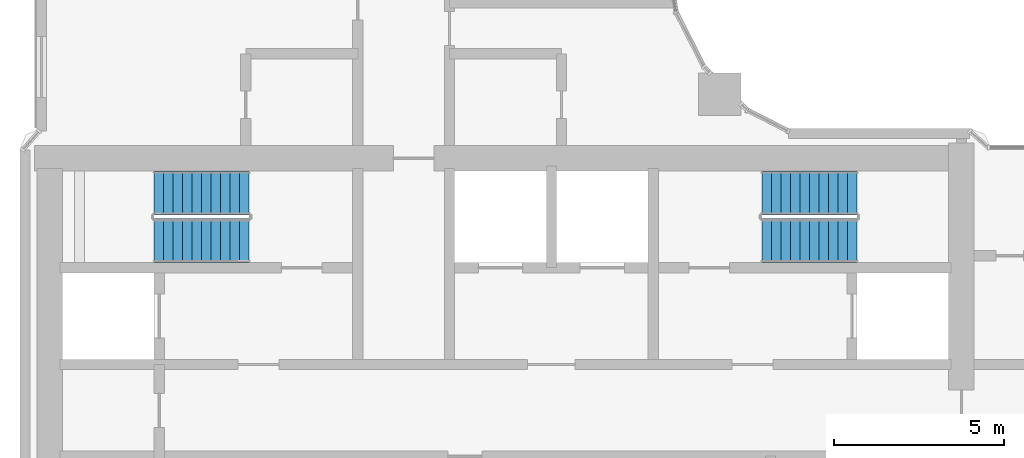
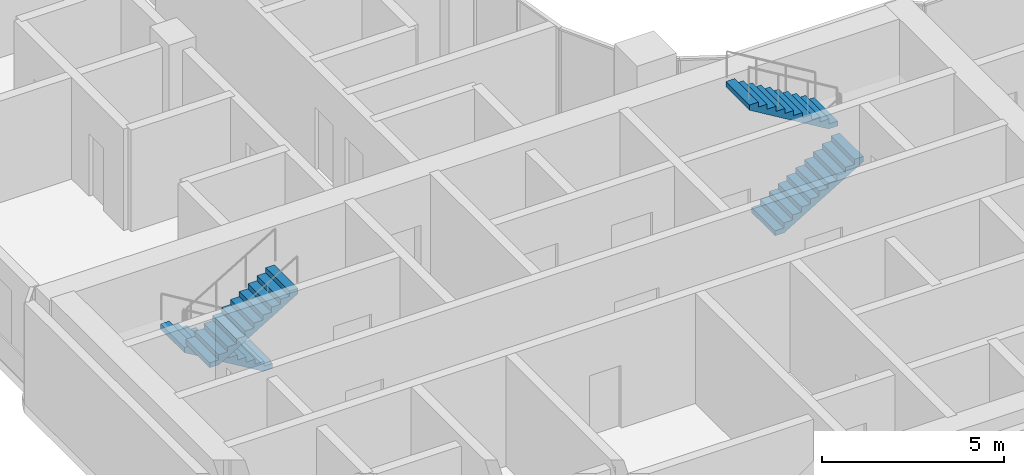
# One storey, part 25 of 33: 4 stair flights, 2 elements without a shape of their own.
"""IFC4 building model written with IfcOpenShell, lengths in metres."""

from ifc_helpers import new_model, si_unit, direction, frame, origin, place, context, subcontext, project, spatial, triangles, source, transform, mapped, material, type_object, element, aggregate, save


model = new_model("IFC4")

# Units and contexts
model_context = context("Model", 3, precision=1e-05, world=origin(), true_north=direction((0.0, 1.0)))
body_context = subcontext(model_context, "Body", "Model", "MODEL_VIEW")
ifc_project = project(units=[si_unit("LENGTHUNIT", "METRE"), si_unit("AREAUNIT", "SQUARE_METRE"), si_unit("VOLUMEUNIT", "CUBIC_METRE"), si_unit("PLANEANGLEUNIT", "RADIAN"), si_unit("MASSUNIT", "GRAM", prefix="KILO")], contexts=[model_context])

# Site, building, storey
site_placement = place(None, origin())
site = spatial("IfcSite", under=ifc_project, at=site_placement, CompositionType="ELEMENT")
building_placement = place(site_placement, origin())
building = spatial("IfcBuilding", under=site, at=building_placement, Name="Ogive Portal Towers", CompositionType="ELEMENT")
storey_placement = place(building_placement, frame((0.0, 0.0, 101.89990234375)))
storey = spatial("IfcBuildingStorey", under=building, at=storey_placement, Name="L24", CompositionType="ELEMENT", Elevation=101.89990234375)

# Stair, stair flights
ifc_material = material(Name="Concrete C40/50", Category="concrete")
stair_type = type_object("IfcStairType", Name="INT-STAIR", PredefinedType="HALF_TURN_STAIR", material=ifc_material)
stair_1_placement = place(storey_placement, origin())
stair_1 = element("IfcStair", 1, at=stair_1_placement, inside=storey, type_object=stair_type, Name="L24 Exit Stair ST-A1", PredefinedType="HALF_TURN_STAIR")
stair_flight_type = type_object("IfcStairFlightType", Name="INT-FLIGHT", PredefinedType="STRAIGHT", material=ifc_material)
shared_shape = source(origin(), body_context, "Body", "Tessellation", [
    triangles([(0.0, -0.650146484375, 0.0), (0.0, -0.376220703125, 0.0), (0.0, -0.192626953125, 0.0), (0.0, -0.081298828125, 0.0), (0.0, -0.024169921875, 0.0), (0.0, -0.003173828125, 0.0), (0.0, 0.0, 0.0), (0.0, 0.0029296875, 0.0), (0.0, 0.02392578125, 0.0), (0.0, 0.0810546875, 0.0), (0.0, 0.1923828125, 0.0), (0.0, 0.3759765625, 0.0), (0.0, 0.64990234375, 0.0), (0.0, -0.650146484375, 0.168212890625), (0.0, -0.376220703125, 0.168212890625), (0.0, -0.192626953125, 0.168212890625), (0.0, -0.081298828125, 0.168212890625), (0.0, -0.024169921875, 0.168212890625), (0.0, -0.003173828125, 0.168212890625), (0.0, 0.0, 0.168212890625), (0.0, 0.0029296875, 0.168212890625), (0.0, 0.02392578125, 0.168212890625), (0.0, 0.0810546875, 0.168212890625), (0.0, 0.1923828125, 0.168212890625), (0.0, 0.3759765625, 0.168212890625), (0.0, 0.64990234375, 0.168212890625), (0.280029296875, -0.650146484375, 0.168212890625), (0.280029296875, -0.376220703125, 0.168212890625), (0.280029296875, -0.192626953125, 0.168212890625), (0.280029296875, -0.081298828125, 0.168212890625), (0.280029296875, -0.024169921875, 0.168212890625), (0.280029296875, -0.003173828125, 0.168212890625), (0.280029296875, 0.0, 0.168212890625), (0.280029296875, 0.0029296875, 0.168212890625), (0.280029296875, 0.02392578125, 0.168212890625), (0.280029296875, 0.0810546875, 0.168212890625), (0.280029296875, 0.1923828125, 0.168212890625), (0.280029296875, 0.3759765625, 0.168212890625), (0.280029296875, 0.64990234375, 0.168212890625), (0.280029296875, -0.650146484375, 0.33642578125), (0.280029296875, -0.376220703125, 0.33642578125), (0.280029296875, -0.192626953125, 0.33642578125), (0.280029296875, -0.081298828125, 0.33642578125), (0.280029296875, -0.024169921875, 0.33642578125), (0.280029296875, -0.003173828125, 0.33642578125), (0.280029296875, 0.0, 0.33642578125), (0.280029296875, 0.0029296875, 0.33642578125), (0.280029296875, 0.02392578125, 0.33642578125), (0.280029296875, 0.0810546875, 0.33642578125), (0.280029296875, 0.1923828125, 0.33642578125), (0.280029296875, 0.3759765625, 0.33642578125), (0.280029296875, 0.64990234375, 0.33642578125), (0.56005859375, -0.650146484375, 0.33642578125), (0.56005859375, -0.376220703125, 0.33642578125), (0.56005859375, -0.192626953125, 0.33642578125), (0.56005859375, -0.081298828125, 0.33642578125), (0.56005859375, -0.024169921875, 0.33642578125), (0.56005859375, -0.003173828125, 0.33642578125), (0.56005859375, 0.0, 0.33642578125), (0.56005859375, 0.0029296875, 0.33642578125), (0.56005859375, 0.02392578125, 0.33642578125), (0.56005859375, 0.0810546875, 0.33642578125), (0.56005859375, 0.1923828125, 0.33642578125), (0.56005859375, 0.3759765625, 0.33642578125), (0.56005859375, 0.64990234375, 0.33642578125), (0.56005859375, -0.650146484375, 0.504638671875), (0.56005859375, -0.376220703125, 0.504638671875), (0.56005859375, -0.192626953125, 0.504638671875), (0.56005859375, -0.081298828125, 0.504638671875), (0.56005859375, -0.024169921875, 0.504638671875), (0.56005859375, -0.003173828125, 0.504638671875), (0.56005859375, 0.0, 0.504638671875), (0.56005859375, 0.0029296875, 0.504638671875), (0.56005859375, 0.02392578125, 0.504638671875), (0.56005859375, 0.0810546875, 0.504638671875), (0.56005859375, 0.1923828125, 0.504638671875), (0.56005859375, 0.3759765625, 0.504638671875), (0.56005859375, 0.64990234375, 0.504638671875), (0.840087890625, -0.650146484375, 0.504638671875), (0.840087890625, -0.376220703125, 0.504638671875), (0.840087890625, -0.192626953125, 0.504638671875), (0.840087890625, -0.081298828125, 0.504638671875), (0.840087890625, -0.024169921875, 0.504638671875), (0.840087890625, -0.003173828125, 0.504638671875), (0.840087890625, 0.0, 0.504638671875), (0.840087890625, 0.0029296875, 0.504638671875), (0.840087890625, 0.02392578125, 0.504638671875), (0.840087890625, 0.0810546875, 0.504638671875), (0.840087890625, 0.1923828125, 0.504638671875), (0.840087890625, 0.3759765625, 0.504638671875), (0.840087890625, 0.64990234375, 0.504638671875), (0.840087890625, -0.650146484375, 0.672607421875), (0.840087890625, -0.376220703125, 0.672607421875), (0.840087890625, -0.192626953125, 0.672607421875), (0.840087890625, -0.081298828125, 0.672607421875), (0.840087890625, -0.024169921875, 0.672607421875), (0.840087890625, -0.003173828125, 0.672607421875), (0.840087890625, 0.0, 0.672607421875), (0.840087890625, 0.0029296875, 0.672607421875), (0.840087890625, 0.02392578125, 0.672607421875), (0.840087890625, 0.0810546875, 0.672607421875), (0.840087890625, 0.1923828125, 0.672607421875), (0.840087890625, 0.3759765625, 0.672607421875), (0.840087890625, 0.64990234375, 0.672607421875), (1.1201171875, -0.650146484375, 0.672607421875), (1.1201171875, -0.376220703125, 0.672607421875), (1.1201171875, -0.192626953125, 0.672607421875), (1.1201171875, -0.081298828125, 0.672607421875), (1.1201171875, -0.024169921875, 0.672607421875), (1.1201171875, -0.003173828125, 0.672607421875), (1.1201171875, 0.0, 0.672607421875), (1.1201171875, 0.0029296875, 0.672607421875), (1.1201171875, 0.02392578125, 0.672607421875), (1.1201171875, 0.0810546875, 0.672607421875), (1.1201171875, 0.1923828125, 0.672607421875), (1.1201171875, 0.3759765625, 0.672607421875), (1.1201171875, 0.64990234375, 0.672607421875), (1.1201171875, -0.650146484375, 0.8408203125), (1.1201171875, -0.376220703125, 0.8408203125), (1.1201171875, -0.192626953125, 0.8408203125), (1.1201171875, -0.081298828125, 0.8408203125), (1.1201171875, -0.024169921875, 0.8408203125), (1.1201171875, -0.003173828125, 0.8408203125), (1.1201171875, 0.0, 0.8408203125), (1.1201171875, 0.0029296875, 0.8408203125), (1.1201171875, 0.02392578125, 0.8408203125), (1.1201171875, 0.0810546875, 0.8408203125), (1.1201171875, 0.1923828125, 0.8408203125), (1.1201171875, 0.3759765625, 0.8408203125), (1.1201171875, 0.64990234375, 0.8408203125), (1.39990234375, -0.650146484375, 0.8408203125), (1.39990234375, -0.376220703125, 0.8408203125), (1.39990234375, -0.192626953125, 0.8408203125), (1.39990234375, -0.081298828125, 0.8408203125), (1.39990234375, -0.024169921875, 0.8408203125), (1.39990234375, -0.003173828125, 0.8408203125), (1.39990234375, 0.0, 0.8408203125), (1.39990234375, 0.0029296875, 0.8408203125), (1.39990234375, 0.02392578125, 0.8408203125), (1.39990234375, 0.0810546875, 0.8408203125), (1.39990234375, 0.1923828125, 0.8408203125), (1.39990234375, 0.3759765625, 0.8408203125), (1.39990234375, 0.64990234375, 0.8408203125), (1.39990234375, -0.650146484375, 1.009033203125), (1.39990234375, -0.376220703125, 1.009033203125), (1.39990234375, -0.192626953125, 1.009033203125), (1.39990234375, -0.081298828125, 1.009033203125), (1.39990234375, -0.024169921875, 1.009033203125), (1.39990234375, -0.003173828125, 1.009033203125), (1.39990234375, 0.0, 1.009033203125), (1.39990234375, 0.0029296875, 1.009033203125), (1.39990234375, 0.02392578125, 1.009033203125), (1.39990234375, 0.0810546875, 1.009033203125), (1.39990234375, 0.1923828125, 1.009033203125), (1.39990234375, 0.3759765625, 1.009033203125), (1.39990234375, 0.64990234375, 1.009033203125), (1.679931640625, -0.650146484375, 1.009033203125), (1.679931640625, -0.376220703125, 1.009033203125), (1.679931640625, -0.192626953125, 1.009033203125), (1.679931640625, -0.081298828125, 1.009033203125), (1.679931640625, -0.024169921875, 1.009033203125), (1.679931640625, -0.003173828125, 1.009033203125), (1.679931640625, 0.0, 1.009033203125), (1.679931640625, 0.0029296875, 1.009033203125), (1.679931640625, 0.02392578125, 1.009033203125), (1.679931640625, 0.0810546875, 1.009033203125), (1.679931640625, 0.1923828125, 1.009033203125), (1.679931640625, 0.3759765625, 1.009033203125), (1.679931640625, 0.64990234375, 1.009033203125), (1.679931640625, -0.650146484375, 1.17724609375), (1.679931640625, -0.376220703125, 1.17724609375), (1.679931640625, -0.192626953125, 1.17724609375), (1.679931640625, -0.081298828125, 1.17724609375), (1.679931640625, -0.024169921875, 1.17724609375), (1.679931640625, -0.003173828125, 1.17724609375), (1.679931640625, 0.0, 1.17724609375), (1.679931640625, 0.0029296875, 1.17724609375), (1.679931640625, 0.02392578125, 1.17724609375), (1.679931640625, 0.0810546875, 1.17724609375), (1.679931640625, 0.1923828125, 1.17724609375), (1.679931640625, 0.3759765625, 1.17724609375), (1.679931640625, 0.64990234375, 1.17724609375), (1.9599609375, -0.650146484375, 1.17724609375), (1.9599609375, -0.376220703125, 1.17724609375), (1.9599609375, -0.192626953125, 1.17724609375), (1.9599609375, -0.081298828125, 1.17724609375), (1.9599609375, -0.024169921875, 1.17724609375), (1.9599609375, -0.003173828125, 1.17724609375), (1.9599609375, 0.0, 1.17724609375), (1.9599609375, 0.0029296875, 1.17724609375), (1.9599609375, 0.02392578125, 1.17724609375), (1.9599609375, 0.0810546875, 1.17724609375), (1.9599609375, 0.1923828125, 1.17724609375), (1.9599609375, 0.3759765625, 1.17724609375), (1.9599609375, 0.64990234375, 1.17724609375), (1.9599609375, -0.650146484375, 1.345458984375), (1.9599609375, -0.376220703125, 1.345458984375), (1.9599609375, -0.192626953125, 1.345458984375), (1.9599609375, -0.081298828125, 1.345458984375), (1.9599609375, -0.024169921875, 1.345458984375), (1.9599609375, -0.003173828125, 1.345458984375), (1.9599609375, 0.0, 1.345458984375), (1.9599609375, 0.0029296875, 1.345458984375), (1.9599609375, 0.02392578125, 1.345458984375), (1.9599609375, 0.0810546875, 1.345458984375), (1.9599609375, 0.1923828125, 1.345458984375), (1.9599609375, 0.3759765625, 1.345458984375), (1.9599609375, 0.64990234375, 1.345458984375), (2.239990234375, -0.650146484375, 1.345458984375), (2.239990234375, -0.376220703125, 1.345458984375), (2.239990234375, -0.192626953125, 1.345458984375), (2.239990234375, -0.081298828125, 1.345458984375), (2.239990234375, -0.024169921875, 1.345458984375), (2.239990234375, -0.003173828125, 1.345458984375), (2.239990234375, 0.0, 1.345458984375), (2.239990234375, 0.0029296875, 1.345458984375), (2.239990234375, 0.02392578125, 1.345458984375), (2.239990234375, 0.0810546875, 1.345458984375), (2.239990234375, 0.1923828125, 1.345458984375), (2.239990234375, 0.3759765625, 1.345458984375), (2.239990234375, 0.64990234375, 1.345458984375), (2.239990234375, -0.650146484375, 1.513671875), (2.239990234375, -0.376220703125, 1.513671875), (2.239990234375, -0.192626953125, 1.513671875), (2.239990234375, -0.081298828125, 1.513671875), (2.239990234375, -0.024169921875, 1.513671875), (2.239990234375, -0.003173828125, 1.513671875), (2.239990234375, 0.0, 1.513671875), (2.239990234375, 0.0029296875, 1.513671875), (2.239990234375, 0.02392578125, 1.513671875), (2.239990234375, 0.0810546875, 1.513671875), (2.239990234375, 0.1923828125, 1.513671875), (2.239990234375, 0.3759765625, 1.513671875), (2.239990234375, 0.64990234375, 1.513671875), (2.52001953125, -0.650146484375, 1.513671875), (2.52001953125, -0.376220703125, 1.513671875), (2.52001953125, -0.192626953125, 1.513671875), (2.52001953125, -0.081298828125, 1.513671875), (2.52001953125, -0.024169921875, 1.513671875), (2.52001953125, -0.003173828125, 1.513671875), (2.52001953125, 0.0, 1.513671875), (2.52001953125, 0.0029296875, 1.513671875), (2.52001953125, 0.02392578125, 1.513671875), (2.52001953125, 0.0810546875, 1.513671875), (2.52001953125, 0.1923828125, 1.513671875), (2.52001953125, 0.3759765625, 1.513671875), (2.52001953125, 0.64990234375, 1.513671875), (2.52001953125, -0.650146484375, 1.681884765625), (2.52001953125, -0.376220703125, 1.681884765625), (2.52001953125, -0.192626953125, 1.681884765625), (2.52001953125, -0.081298828125, 1.681884765625), (2.52001953125, -0.024169921875, 1.681884765625), (2.52001953125, -0.003173828125, 1.681884765625), (2.52001953125, 0.0, 1.681884765625), (2.52001953125, 0.0029296875, 1.681884765625), (2.52001953125, 0.02392578125, 1.681884765625), (2.52001953125, 0.0810546875, 1.681884765625), (2.52001953125, 0.1923828125, 1.681884765625), (2.52001953125, 0.3759765625, 1.681884765625), (2.52001953125, 0.64990234375, 1.681884765625), (2.800048828125, -0.650146484375, 1.681884765625), (2.800048828125, -0.376220703125, 1.681884765625), (2.800048828125, -0.192626953125, 1.681884765625), (2.800048828125, -0.081298828125, 1.681884765625), (2.800048828125, -0.024169921875, 1.681884765625), (2.800048828125, -0.003173828125, 1.681884765625), (2.800048828125, 0.0, 1.681884765625), (2.800048828125, 0.0029296875, 1.681884765625), (2.800048828125, 0.02392578125, 1.681884765625), (2.800048828125, 0.0810546875, 1.681884765625), (2.800048828125, 0.1923828125, 1.681884765625), (2.800048828125, 0.3759765625, 1.681884765625), (2.800048828125, 0.64990234375, 1.681884765625), (2.800048828125, -0.650146484375, 1.5068359375), (2.800048828125, -0.376220703125, 1.5068359375), (2.800048828125, -0.192626953125, 1.5068359375), (2.800048828125, -0.081298828125, 1.5068359375), (2.800048828125, -0.024169921875, 1.5068359375), (2.800048828125, -0.003173828125, 1.5068359375), (2.800048828125, 0.0, 1.5068359375), (2.800048828125, 0.0029296875, 1.5068359375), (2.800048828125, 0.02392578125, 1.5068359375), (2.800048828125, 0.0810546875, 1.5068359375), (2.800048828125, 0.1923828125, 1.5068359375), (2.800048828125, 0.3759765625, 1.5068359375), (2.800048828125, 0.64990234375, 1.5068359375), (0.291015625, -0.650146484375, 0.0), (0.291015625, -0.376220703125, 0.0), (0.291015625, -0.192626953125, 0.0), (0.291015625, -0.081298828125, 0.0), (0.291015625, -0.024169921875, 0.0), (0.291015625, -0.003173828125, 0.0), (0.291015625, 0.0, 0.0), (0.291015625, 0.0029296875, 0.0), (0.291015625, 0.02392578125, 0.0), (0.291015625, 0.0810546875, 0.0), (0.291015625, 0.1923828125, 0.0), (0.291015625, 0.3759765625, 0.0), (0.291015625, 0.64990234375, 0.0)], [[1, 14, 15], [1, 15, 2], [2, 15, 16], [2, 16, 3], [3, 16, 17], [3, 17, 4], [4, 17, 18], [4, 18, 5], [5, 18, 19], [5, 19, 6], [6, 19, 20], [6, 20, 7], [7, 20, 21], [7, 21, 8], [8, 21, 22], [8, 22, 9], [9, 22, 23], [9, 23, 10], [10, 23, 24], [10, 24, 11], [11, 24, 25], [11, 25, 12], [12, 25, 26], [12, 26, 13], [14, 27, 28], [14, 28, 15], [15, 28, 29], [15, 29, 16], [16, 29, 30], [16, 30, 17], [17, 30, 31], [17, 31, 18], [18, 31, 32], [18, 32, 19], [19, 32, 33], [19, 33, 20], [20, 33, 34], [20, 34, 21], [21, 34, 35], [21, 35, 22], [22, 35, 36], [22, 36, 23], [23, 36, 37], [23, 37, 24], [24, 37, 38], [24, 38, 25], [25, 38, 39], [25, 39, 26], [27, 40, 41], [27, 41, 28], [28, 41, 42], [28, 42, 29], [29, 42, 43], [29, 43, 30], [30, 43, 44], [30, 44, 31], [31, 44, 45], [31, 45, 32], [32, 45, 46], [32, 46, 33], [33, 46, 47], [33, 47, 34], [34, 47, 48], [34, 48, 35], [35, 48, 49], [35, 49, 36], [36, 49, 50], [36, 50, 37], [37, 50, 51], [37, 51, 38], [38, 51, 52], [38, 52, 39], [40, 53, 54], [40, 54, 41], [41, 54, 55], [41, 55, 42], [42, 55, 56], [42, 56, 43], [43, 56, 57], [43, 57, 44], [44, 57, 58], [44, 58, 45], [45, 58, 59], [45, 59, 46], [46, 59, 60], [46, 60, 47], [47, 60, 61], [47, 61, 48], [48, 61, 62], [48, 62, 49], [49, 62, 63], [49, 63, 50], [50, 63, 64], [50, 64, 51], [51, 64, 65], [51, 65, 52], [53, 66, 67], [53, 67, 54], [54, 67, 68], [54, 68, 55], [55, 68, 69], [55, 69, 56], [56, 69, 70], [56, 70, 57], [57, 70, 71], [57, 71, 58], [58, 71, 72], [58, 72, 59], [59, 72, 73], [59, 73, 60], [60, 73, 74], [60, 74, 61], [61, 74, 75], [61, 75, 62], [62, 75, 76], [62, 76, 63], [63, 76, 77], [63, 77, 64], [64, 77, 78], [64, 78, 65], [66, 79, 80], [66, 80, 67], [67, 80, 81], [67, 81, 68], [68, 81, 82], [68, 82, 69], [69, 82, 83], [69, 83, 70], [70, 83, 84], [70, 84, 71], [71, 84, 85], [71, 85, 72], [72, 85, 86], [72, 86, 73], [73, 86, 87], [73, 87, 74], [74, 87, 88], [74, 88, 75], [75, 88, 89], [75, 89, 76], [76, 89, 90], [76, 90, 77], [77, 90, 91], [77, 91, 78], [79, 92, 93], [79, 93, 80], [80, 93, 94], [80, 94, 81], [81, 94, 95], [81, 95, 82], [82, 95, 96], [82, 96, 83], [83, 96, 97], [83, 97, 84], [84, 97, 98], [84, 98, 85], [85, 98, 99], [85, 99, 86], [86, 99, 100], [86, 100, 87], [87, 100, 101], [87, 101, 88], [88, 101, 102], [88, 102, 89], [89, 102, 103], [89, 103, 90], [90, 103, 104], [90, 104, 91], [92, 105, 106], [92, 106, 93], [93, 106, 107], [93, 107, 94], [94, 107, 108], [94, 108, 95], [95, 108, 109], [95, 109, 96], [96, 109, 110], [96, 110, 97], [97, 110, 111], [97, 111, 98], [98, 111, 112], [98, 112, 99], [99, 112, 113], [99, 113, 100], [100, 113, 114], [100, 114, 101], [101, 114, 115], [101, 115, 102], [102, 115, 116], [102, 116, 103], [103, 116, 117], [103, 117, 104], [105, 118, 119], [105, 119, 106], [106, 119, 120], [106, 120, 107], [107, 120, 121], [107, 121, 108], [108, 121, 122], [108, 122, 109], [109, 122, 123], [109, 123, 110], [110, 123, 124], [110, 124, 111], [111, 124, 125], [111, 125, 112], [112, 125, 126], [112, 126, 113], [113, 126, 127], [113, 127, 114], [114, 127, 128], [114, 128, 115], [115, 128, 129], [115, 129, 116], [116, 129, 130], [116, 130, 117], [118, 131, 132], [118, 132, 119], [119, 132, 133], [119, 133, 120], [120, 133, 134], [120, 134, 121], [121, 134, 135], [121, 135, 122], [122, 135, 136], [122, 136, 123], [123, 136, 137], [123, 137, 124], [124, 137, 138], [124, 138, 125], [125, 138, 139], [125, 139, 126], [126, 139, 140], [126, 140, 127], [127, 140, 141], [127, 141, 128], [128, 141, 142], [128, 142, 129], [129, 142, 143], [129, 143, 130], [131, 144, 145], [131, 145, 132], [132, 145, 146], [132, 146, 133], [133, 146, 147], [133, 147, 134], [134, 147, 148], [134, 148, 135], [135, 148, 149], [135, 149, 136], [136, 149, 150], [136, 150, 137], [137, 150, 151], [137, 151, 138], [138, 151, 152], [138, 152, 139], [139, 152, 153], [139, 153, 140], [140, 153, 154], [140, 154, 141], [141, 154, 155], [141, 155, 142], [142, 155, 156], [142, 156, 143], [144, 157, 158], [144, 158, 145], [145, 158, 159], [145, 159, 146], [146, 159, 160], [146, 160, 147], [147, 160, 161], [147, 161, 148], [148, 161, 162], [148, 162, 149], [149, 162, 163], [149, 163, 150], [150, 163, 164], [150, 164, 151], [151, 164, 165], [151, 165, 152], [152, 165, 166], [152, 166, 153], [153, 166, 167], [153, 167, 154], [154, 167, 168], [154, 168, 155], [155, 168, 169], [155, 169, 156], [157, 170, 171], [157, 171, 158], [158, 171, 172], [158, 172, 159], [159, 172, 173], [159, 173, 160], [160, 173, 174], [160, 174, 161], [161, 174, 175], [161, 175, 162], [162, 175, 176], [162, 176, 163], [163, 176, 177], [163, 177, 164], [164, 177, 178], [164, 178, 165], [165, 178, 179], [165, 179, 166], [166, 179, 180], [166, 180, 167], [167, 180, 181], [167, 181, 168], [168, 181, 182], [168, 182, 169], [170, 183, 184], [170, 184, 171], [171, 184, 185], [171, 185, 172], [172, 185, 186], [172, 186, 173], [173, 186, 187], [173, 187, 174], [174, 187, 188], [174, 188, 175], [175, 188, 189], [175, 189, 176], [176, 189, 190], [176, 190, 177], [177, 190, 191], [177, 191, 178], [178, 191, 192], [178, 192, 179], [179, 192, 193], [179, 193, 180], [180, 193, 194], [180, 194, 181], [181, 194, 195], [181, 195, 182], [183, 196, 197], [183, 197, 184], [184, 197, 198], [184, 198, 185], [185, 198, 199], [185, 199, 186], [186, 199, 200], [186, 200, 187], [187, 200, 201], [187, 201, 188], [188, 201, 202], [188, 202, 189], [189, 202, 203], [189, 203, 190], [190, 203, 204], [190, 204, 191], [191, 204, 205], [191, 205, 192], [192, 205, 206], [192, 206, 193], [193, 206, 207], [193, 207, 194], [194, 207, 208], [194, 208, 195], [196, 209, 210], [196, 210, 197], [197, 210, 211], [197, 211, 198], [198, 211, 212], [198, 212, 199], [199, 212, 213], [199, 213, 200], [200, 213, 214], [200, 214, 201], [201, 214, 215], [201, 215, 202], [202, 215, 216], [202, 216, 203], [203, 216, 217], [203, 217, 204], [204, 217, 218], [204, 218, 205], [205, 218, 219], [205, 219, 206], [206, 219, 220], [206, 220, 207], [207, 220, 221], [207, 221, 208], [209, 222, 223], [209, 223, 210], [210, 223, 224], [210, 224, 211], [211, 224, 225], [211, 225, 212], [212, 225, 226], [212, 226, 213], [213, 226, 227], [213, 227, 214], [214, 227, 228], [214, 228, 215], [215, 228, 229], [215, 229, 216], [216, 229, 230], [216, 230, 217], [217, 230, 231], [217, 231, 218], [218, 231, 232], [218, 232, 219], [219, 232, 233], [219, 233, 220], [220, 233, 234], [220, 234, 221], [222, 235, 236], [222, 236, 223], [223, 236, 237], [223, 237, 224], [224, 237, 238], [224, 238, 225], [225, 238, 239], [225, 239, 226], [226, 239, 240], [226, 240, 227], [227, 240, 241], [227, 241, 228], [228, 241, 242], [228, 242, 229], [229, 242, 243], [229, 243, 230], [230, 243, 244], [230, 244, 231], [231, 244, 245], [231, 245, 232], [232, 245, 246], [232, 246, 233], [233, 246, 247], [233, 247, 234], [235, 248, 249], [235, 249, 236], [236, 249, 250], [236, 250, 237], [237, 250, 251], [237, 251, 238], [238, 251, 252], [238, 252, 239], [239, 252, 253], [239, 253, 240], [240, 253, 254], [240, 254, 241], [241, 254, 255], [241, 255, 242], [242, 255, 256], [242, 256, 243], [243, 256, 257], [243, 257, 244], [244, 257, 258], [244, 258, 245], [245, 258, 259], [245, 259, 246], [246, 259, 260], [246, 260, 247], [248, 261, 262], [248, 262, 249], [249, 262, 263], [249, 263, 250], [250, 263, 264], [250, 264, 251], [251, 264, 265], [251, 265, 252], [252, 265, 266], [252, 266, 253], [253, 266, 267], [253, 267, 254], [254, 267, 268], [254, 268, 255], [255, 268, 269], [255, 269, 256], [256, 269, 270], [256, 270, 257], [257, 270, 271], [257, 271, 258], [258, 271, 272], [258, 272, 259], [259, 272, 273], [259, 273, 260], [261, 274, 275], [261, 275, 262], [262, 275, 276], [262, 276, 263], [263, 276, 277], [263, 277, 264], [264, 277, 278], [264, 278, 265], [265, 278, 279], [265, 279, 266], [266, 279, 280], [266, 280, 267], [267, 280, 281], [267, 281, 268], [268, 281, 282], [268, 282, 269], [269, 282, 283], [269, 283, 270], [270, 283, 284], [270, 284, 271], [271, 284, 285], [271, 285, 272], [272, 285, 286], [272, 286, 273], [274, 287, 288], [274, 288, 275], [275, 288, 289], [275, 289, 276], [276, 289, 290], [276, 290, 277], [277, 290, 291], [277, 291, 278], [278, 291, 292], [278, 292, 279], [279, 292, 293], [279, 293, 280], [280, 293, 294], [280, 294, 281], [281, 294, 295], [281, 295, 282], [282, 295, 296], [282, 296, 283], [283, 296, 297], [283, 297, 284], [284, 297, 298], [284, 298, 285], [285, 298, 299], [285, 299, 286], [287, 1, 2], [287, 2, 288], [288, 2, 3], [288, 3, 289], [289, 3, 4], [289, 4, 290], [290, 4, 5], [290, 5, 291], [291, 5, 6], [291, 6, 292], [292, 6, 7], [292, 7, 293], [293, 7, 8], [293, 8, 294], [294, 8, 9], [294, 9, 295], [295, 9, 10], [295, 10, 296], [296, 10, 11], [296, 11, 297], [297, 11, 12], [297, 12, 298], [298, 12, 13], [298, 13, 299], [1, 287, 274], [13, 286, 299], [274, 261, 248], [286, 260, 273], [274, 248, 235], [286, 247, 260], [274, 235, 222], [286, 234, 247], [274, 222, 209], [286, 221, 234], [209, 196, 183], [221, 195, 208], [274, 209, 183], [286, 195, 221], [183, 170, 157], [195, 169, 182], [274, 183, 157], [286, 169, 195], [157, 144, 131], [169, 143, 156], [274, 157, 131], [286, 143, 169], [131, 118, 105], [143, 117, 130], [274, 131, 105], [286, 117, 143], [1, 274, 105], [13, 117, 286], [105, 92, 79], [117, 91, 104], [79, 66, 53], [91, 65, 78], [105, 79, 53], [117, 65, 91], [53, 40, 27], [65, 39, 52], [105, 53, 27], [117, 39, 65], [1, 105, 27], [13, 39, 117], [27, 14, 1], [39, 13, 26]], closed=True),
])
stair_flight_1_placement = place(storey_placement, frame((37.449951171875, 38.39990234375, 0.0), z_axis=(0.0, 0.0, 1.0), x_axis=(-1.0, 0.0, 0.0)))
stair_flight_1 = element("IfcStairFlight", 2, at=stair_flight_1_placement, type_object=stair_flight_type, Name="ST-A1 flight 1", NumberOfRisers=11, NumberOfTreads=10, PredefinedType="STRAIGHT", RiserHeight=0.168181818, TreadLength=0.28, context=body_context, shape_type="MappedRepresentation", body=[
    mapped(shared_shape, transform((0.0, 0.0, 0.0), scale=1.0)),
])
stair_flight_2_placement = place(storey_placement, frame((34.64990234375, 37.0, 1.85009765625), z_axis=(0.0, 0.0, 1.0), x_axis=(1.0, 0.0, 0.0)))
stair_flight_2 = element("IfcStairFlight", 3, at=stair_flight_2_placement, type_object=stair_flight_type, Name="ST-A1 flight 2", NumberOfRisers=11, NumberOfTreads=10, PredefinedType="STRAIGHT", RiserHeight=0.168181818, TreadLength=0.28, context=body_context, shape_type="MappedRepresentation", body=[
    mapped(shared_shape, transform((0.0, 0.0, 0.0), scale=1.0)),
])
aggregate(stair_1, [stair_flight_1, stair_flight_2])

stair_2_placement = place(storey_placement, origin())
stair_2 = element("IfcStair", 4, at=stair_2_placement, inside=storey, type_object=stair_type, Name="L24 Exit Stair ST-A2", PredefinedType="HALF_TURN_STAIR")
stair_flight_3_placement = place(storey_placement, frame((52.550048828125, 37.0, 0.0), z_axis=(0.0, 0.0, 1.0), x_axis=(1.0, 0.0, 0.0)))
stair_flight_3 = element("IfcStairFlight", 5, at=stair_flight_3_placement, type_object=stair_flight_type, Name="ST-A2 flight 1", NumberOfRisers=11, NumberOfTreads=10, PredefinedType="STRAIGHT", RiserHeight=0.168181818, TreadLength=0.28, context=body_context, shape_type="MappedRepresentation", body=[
    mapped(shared_shape, transform((0.0, 0.0, 0.0), scale=1.0)),
])
stair_flight_4_placement = place(storey_placement, frame((55.35009765625, 38.39990234375, 1.85009765625), z_axis=(0.0, 0.0, 1.0), x_axis=(-1.0, 0.0, 0.0)))
stair_flight_4 = element("IfcStairFlight", 6, at=stair_flight_4_placement, type_object=stair_flight_type, Name="ST-A2 flight 2", NumberOfRisers=11, NumberOfTreads=10, PredefinedType="STRAIGHT", RiserHeight=0.168181818, TreadLength=0.28, context=body_context, shape_type="MappedRepresentation", body=[
    mapped(shared_shape, transform((0.0, 0.0, 0.0), scale=1.0)),
])
aggregate(stair_2, [stair_flight_3, stair_flight_4])

save(model, "model.ifc")
